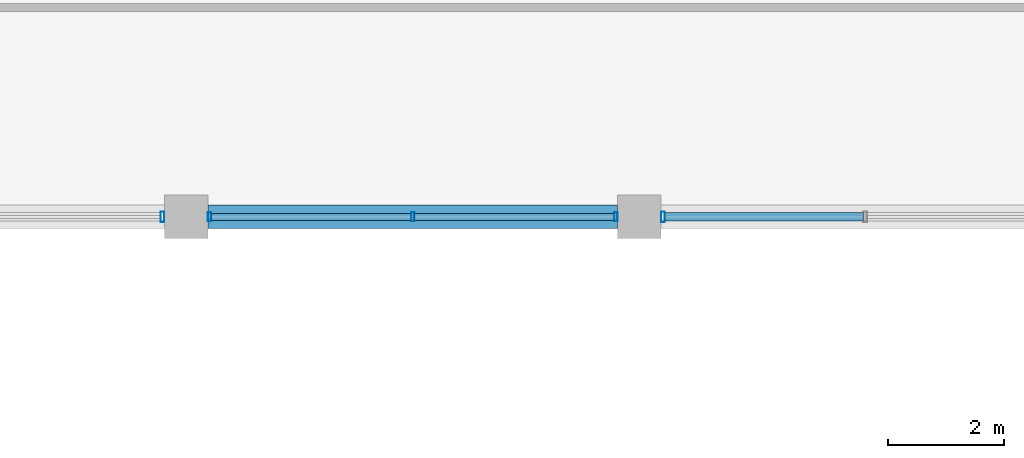
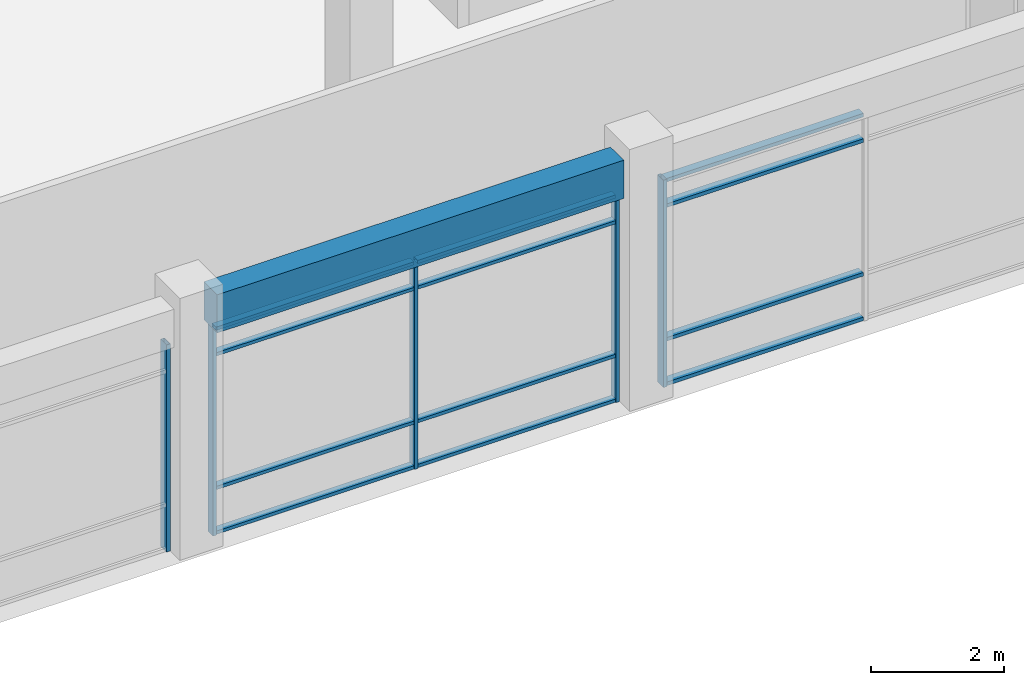
# One storey, part 22 of 62: 17 members, 1 beam, 3 elements without a shape of their own.
"""IFC4 building model written with IfcOpenShell, lengths in metres."""

from ifc_helpers import new_model, si_unit, direction, frame, origin, origin_2d, place, context, subcontext, project, spatial, rectangle, hollow_rectangle, extrude, material, material_profile, profile_set, type_object, element, aggregate, save


model = new_model("IFC4")

# Units and contexts
model_context = context("Model", 3, precision=1e-05, world=origin(), true_north=direction((0.0, 1.0)))
body_context = subcontext(model_context, "Body", "Model", "MODEL_VIEW")
ifc_project = project(units=[si_unit("LENGTHUNIT", "METRE"), si_unit("AREAUNIT", "SQUARE_METRE"), si_unit("VOLUMEUNIT", "CUBIC_METRE"), si_unit("PLANEANGLEUNIT", "RADIAN"), si_unit("MASSUNIT", "GRAM", prefix="KILO"), si_unit("THERMODYNAMICTEMPERATUREUNIT", "KELVIN"), si_unit("POWERUNIT", "WATT")], contexts=[model_context])

# Site, building, storey
site_placement = place(None, origin())
site = spatial("IfcSite", under=ifc_project, at=site_placement, CompositionType="ELEMENT")
building_placement = place(site_placement, origin())
building = spatial("IfcBuilding", under=site, at=building_placement, Name="Srebrne Nadtorze General Hospital", CompositionType="ELEMENT")
storey_placement = place(building_placement, frame((0.0, 0.0, 9.60009765625)))
storey = spatial("IfcBuildingStorey", under=building, at=storey_placement, Name="L02", CompositionType="ELEMENT", Elevation=9.60009765625)

# Curtain wall, members
ifc_material_1 = material(Name="Anodised Aluminium", Category="aluminium")
curtain_wall_type_1 = type_object("IfcCurtainWallType", Name="Unitised curtain wall 7050x3800", PredefinedType="NOTDEFINED", material=ifc_material_1)
curtain_wall_1_placement = place(storey_placement, origin())
curtain_wall_1 = element("IfcCurtainWall", 1, at=curtain_wall_1_placement, inside=storey, type_object=curtain_wall_type_1, Name="Curtain wall CW-080", PredefinedType="NOTDEFINED")
ifc_material_2 = material(Name="Anodised Aluminium", Category="aluminium")
ifc_material_profile_1 = material_profile(ifc_material_2, hollow_rectangle(XDim=0.06005859375, YDim=0.14990234375, WallThickness=0.00390625, at=origin_2d()), Name="AL-MUL-60x150")
ifc_profile_set_1 = profile_set([ifc_material_profile_1], Name="Anodised Aluminium")
member_type_1 = type_object("IfcMemberType", Name="Curtain mullion 60x150", PredefinedType="MULLION", material=ifc_profile_set_1)
member_1_placement = place(storey_placement, frame((86.205078125, 50.39990234375, 0.0), z_axis=(0.0, 0.0, 1.0), x_axis=(1.0, 0.0, 0.0)))
member_1 = element("IfcMember", 2, at=member_1_placement, type_object=member_type_1, Name="CW-080 mullion 1", PredefinedType="MULLION", context=body_context, shape_type="SweptSolid", body=[
    extrude(hollow_rectangle(XDim=0.06005859375, YDim=0.14990234375, WallThickness=0.00390625, at=origin_2d()), origin(), (0.0, 0.0, 1.0), 3.7998046875),
])
member_2_placement = place(storey_placement, frame((89.699951171875, 50.39990234375, 0.0), z_axis=(0.0, 0.0, 1.0), x_axis=(1.0, 0.0, 0.0)))
member_2 = element("IfcMember", 3, at=member_2_placement, type_object=member_type_1, Name="CW-080 mullion 2", PredefinedType="MULLION", context=body_context, shape_type="SweptSolid", body=[
    extrude(hollow_rectangle(XDim=0.06005859375, YDim=0.14990234375, WallThickness=0.00390625, at=origin_2d()), origin(), (0.0, 0.0, 1.0), 3.7998046875),
])
member_3_placement = place(storey_placement, frame((93.195068359375, 50.39990234375, 0.0), z_axis=(0.0, 0.0, 1.0), x_axis=(1.0, 0.0, 0.0)))
member_3 = element("IfcMember", 4, at=member_3_placement, type_object=member_type_1, Name="CW-080 mullion 3", PredefinedType="MULLION", context=body_context, shape_type="SweptSolid", body=[
    extrude(hollow_rectangle(XDim=0.06005859375, YDim=0.14990234375, WallThickness=0.00390625, at=origin_2d()), origin(), (0.0, 0.0, 1.0), 3.7998046875),
])

# Curtain wall, member
curtain_wall_2_placement = place(storey_placement, origin())
curtain_wall_2 = element("IfcCurtainWall", 5, at=curtain_wall_2_placement, inside=storey, type_object=curtain_wall_type_1, Name="Curtain wall CW-079", PredefinedType="NOTDEFINED")
ifc_material_3 = material(Name="Anodised Aluminium", Category="aluminium")
ifc_material_profile_2 = material_profile(ifc_material_3, hollow_rectangle(XDim=0.06494140625, YDim=0.179931640625, WallThickness=0.00390625, at=origin_2d()), Name="AL-MUL-65x180")
ifc_profile_set_2 = profile_set([ifc_material_profile_2], Name="Anodised Aluminium")
member_type_2 = type_object("IfcMemberType", Name="Curtain mullion 65x180", PredefinedType="MULLION", material=ifc_profile_set_2)
member_4_placement = place(storey_placement, frame((85.392578125, 50.39990234375, 0.0), z_axis=(0.0, 0.0, 1.0), x_axis=(1.0, 0.0, 0.0)))
member_4 = element("IfcMember", 6, at=member_4_placement, type_object=member_type_2, Name="CW-079 mullion 3", PredefinedType="MULLION", context=body_context, shape_type="SweptSolid", body=[
    extrude(hollow_rectangle(XDim=0.06494140625, YDim=0.179931640625, WallThickness=0.00390625, at=origin_2d()), origin(), (0.0, 0.0, 1.0), 3.7998046875),
])
aggregate(curtain_wall_2, [member_4])

ifc_material_4 = material(Name="Anodised Aluminium", Category="aluminium")
curtain_wall_type_2 = type_object("IfcCurtainWallType", Name="Unitised curtain wall 7025x3800", PredefinedType="NOTDEFINED", material=ifc_material_4)
curtain_wall_3_placement = place(storey_placement, origin())
curtain_wall_3 = element("IfcCurtainWall", 7, at=curtain_wall_3_placement, inside=storey, type_object=curtain_wall_type_2, Name="Curtain wall CW-081", PredefinedType="NOTDEFINED")
member_5_placement = place(storey_placement, frame((94.007568359375, 50.39990234375, 0.0), z_axis=(0.0, 0.0, 1.0), x_axis=(1.0, 0.0, 0.0)))
member_5 = element("IfcMember", 8, at=member_5_placement, type_object=member_type_2, Name="CW-081 mullion 1", PredefinedType="MULLION", context=body_context, shape_type="SweptSolid", body=[
    extrude(hollow_rectangle(XDim=0.06494140625, YDim=0.179931640625, WallThickness=0.00390625, at=origin_2d()), origin(), (0.0, 0.0, 1.0), 3.7998046875),
])

# Member
ifc_material_5 = material(Name="Anodised Aluminium", Category="aluminium")
ifc_material_profile_3 = material_profile(ifc_material_5, hollow_rectangle(XDim=0.06005859375, YDim=0.1201171875, WallThickness=0.00390625, at=origin_2d()), Name="AL-TRN-60x120")
ifc_profile_set_3 = profile_set([ifc_material_profile_3], Name="Anodised Aluminium")
member_type_3 = type_object("IfcMemberType", Name="Curtain transom 60x120", PredefinedType="USERDEFINED", material=ifc_profile_set_3)
member_6_placement = place(storey_placement, frame((86.235107421875, 50.39990234375, 0.02978515625), z_axis=(1.0, 0.0, 0.0), x_axis=(0.0, 0.0, 1.0)))
member_6 = element("IfcMember", 9, at=member_6_placement, type_object=member_type_3, Name="CW-080 transom 1.1", ObjectType="TRANSOM", PredefinedType="USERDEFINED", context=body_context, shape_type="SweptSolid", body=[
    extrude(hollow_rectangle(XDim=0.06005859375, YDim=0.1201171875, WallThickness=0.00390625, at=origin_2d()), origin(), (0.0, 0.0, 1.0), 3.434814453125),
])

member_7_placement = place(storey_placement, frame((86.235107421875, 50.39990234375, 0.849853515625), z_axis=(1.0, 0.0, 0.0), x_axis=(0.0, 0.0, 1.0)))
member_7 = element("IfcMember", 10, at=member_7_placement, type_object=member_type_3, Name="CW-080 transom 1.2", ObjectType="TRANSOM", PredefinedType="USERDEFINED", context=body_context, shape_type="SweptSolid", body=[
    extrude(hollow_rectangle(XDim=0.06005859375, YDim=0.1201171875, WallThickness=0.00390625, at=origin_2d()), origin(), (0.0, 0.0, 1.0), 3.434814453125),
])

member_8_placement = place(storey_placement, frame((86.235107421875, 50.39990234375, 3.2998046875), z_axis=(1.0, 0.0, 0.0), x_axis=(0.0, 0.0, 1.0)))
member_8 = element("IfcMember", 11, at=member_8_placement, type_object=member_type_3, Name="CW-080 transom 1.3", ObjectType="TRANSOM", PredefinedType="USERDEFINED", context=body_context, shape_type="SweptSolid", body=[
    extrude(hollow_rectangle(XDim=0.06005859375, YDim=0.1201171875, WallThickness=0.00390625, at=origin_2d()), origin(), (0.0, 0.0, 1.0), 3.434814453125),
])

member_9_placement = place(storey_placement, frame((86.235107421875, 50.39990234375, 3.77001953125), z_axis=(1.0, 0.0, 0.0), x_axis=(0.0, 0.0, 1.0)))
member_9 = element("IfcMember", 12, at=member_9_placement, type_object=member_type_3, Name="CW-080 transom 1.4", ObjectType="TRANSOM", PredefinedType="USERDEFINED", context=body_context, shape_type="SweptSolid", body=[
    extrude(hollow_rectangle(XDim=0.06005859375, YDim=0.1201171875, WallThickness=0.00390625, at=origin_2d()), origin(), (0.0, 0.0, 1.0), 3.434814453125),
])

member_10_placement = place(storey_placement, frame((89.72998046875, 50.39990234375, 0.02978515625), z_axis=(1.0, 0.0, 0.0), x_axis=(0.0, 0.0, 1.0)))
member_10 = element("IfcMember", 13, at=member_10_placement, type_object=member_type_3, Name="CW-080 transom 2.1", ObjectType="TRANSOM", PredefinedType="USERDEFINED", context=body_context, shape_type="SweptSolid", body=[
    extrude(hollow_rectangle(XDim=0.06005859375, YDim=0.1201171875, WallThickness=0.00390625, at=origin_2d()), origin(), (0.0, 0.0, 1.0), 3.43505859375),
])

member_11_placement = place(storey_placement, frame((89.72998046875, 50.39990234375, 0.849853515625), z_axis=(1.0, 0.0, 0.0), x_axis=(0.0, 0.0, 1.0)))
member_11 = element("IfcMember", 14, at=member_11_placement, type_object=member_type_3, Name="CW-080 transom 2.2", ObjectType="TRANSOM", PredefinedType="USERDEFINED", context=body_context, shape_type="SweptSolid", body=[
    extrude(hollow_rectangle(XDim=0.06005859375, YDim=0.1201171875, WallThickness=0.00390625, at=origin_2d()), origin(), (0.0, 0.0, 1.0), 3.43505859375),
])

member_12_placement = place(storey_placement, frame((89.72998046875, 50.39990234375, 3.2998046875), z_axis=(1.0, 0.0, 0.0), x_axis=(0.0, 0.0, 1.0)))
member_12 = element("IfcMember", 15, at=member_12_placement, type_object=member_type_3, Name="CW-080 transom 2.3", ObjectType="TRANSOM", PredefinedType="USERDEFINED", context=body_context, shape_type="SweptSolid", body=[
    extrude(hollow_rectangle(XDim=0.06005859375, YDim=0.1201171875, WallThickness=0.00390625, at=origin_2d()), origin(), (0.0, 0.0, 1.0), 3.43505859375),
])

member_13_placement = place(storey_placement, frame((89.72998046875, 50.39990234375, 3.77001953125), z_axis=(1.0, 0.0, 0.0), x_axis=(0.0, 0.0, 1.0)))
member_13 = element("IfcMember", 16, at=member_13_placement, type_object=member_type_3, Name="CW-080 transom 2.4", ObjectType="TRANSOM", PredefinedType="USERDEFINED", context=body_context, shape_type="SweptSolid", body=[
    extrude(hollow_rectangle(XDim=0.06005859375, YDim=0.1201171875, WallThickness=0.00390625, at=origin_2d()), origin(), (0.0, 0.0, 1.0), 3.43505859375),
])

aggregate(curtain_wall_1, [member_1, member_2, member_3, member_6, member_7, member_8, member_9, member_10, member_11, member_12, member_13])

ifc_material_6 = material(Name="Anodised Aluminium", Category="aluminium")
ifc_material_profile_4 = material_profile(ifc_material_6, hollow_rectangle(XDim=0.06494140625, YDim=0.139892578125, WallThickness=0.00390625, at=origin_2d()), Name="AL-TRN-65x140")
ifc_profile_set_4 = profile_set([ifc_material_profile_4], Name="Anodised Aluminium")
member_type_4 = type_object("IfcMemberType", Name="Curtain transom 65x140", PredefinedType="USERDEFINED", material=ifc_profile_set_4)
member_14_placement = place(storey_placement, frame((94.0400390625, 50.39990234375, 0.032470703125), z_axis=(1.0, 0.0, 0.0), x_axis=(0.0, 0.0, 1.0)))
member_14 = element("IfcMember", 17, at=member_14_placement, type_object=member_type_4, Name="CW-081 transom 1.1", ObjectType="TRANSOM", PredefinedType="USERDEFINED", context=body_context, shape_type="SweptSolid", body=[
    extrude(hollow_rectangle(XDim=0.06494140625, YDim=0.139892578125, WallThickness=0.00390625, at=origin_2d()), origin(), (0.0, 0.0, 1.0), 3.4150390625),
])

member_15_placement = place(storey_placement, frame((94.0400390625, 50.39990234375, 0.849853515625), z_axis=(1.0, 0.0, 0.0), x_axis=(0.0, 0.0, 1.0)))
member_15 = element("IfcMember", 18, at=member_15_placement, type_object=member_type_4, Name="CW-081 transom 1.2", ObjectType="TRANSOM", PredefinedType="USERDEFINED", context=body_context, shape_type="SweptSolid", body=[
    extrude(hollow_rectangle(XDim=0.06494140625, YDim=0.139892578125, WallThickness=0.00390625, at=origin_2d()), origin(), (0.0, 0.0, 1.0), 3.4150390625),
])

member_16_placement = place(storey_placement, frame((94.0400390625, 50.39990234375, 3.2998046875), z_axis=(1.0, 0.0, 0.0), x_axis=(0.0, 0.0, 1.0)))
member_16 = element("IfcMember", 19, at=member_16_placement, type_object=member_type_4, Name="CW-081 transom 1.3", ObjectType="TRANSOM", PredefinedType="USERDEFINED", context=body_context, shape_type="SweptSolid", body=[
    extrude(hollow_rectangle(XDim=0.06494140625, YDim=0.139892578125, WallThickness=0.00390625, at=origin_2d()), origin(), (0.0, 0.0, 1.0), 3.4150390625),
])

member_17_placement = place(storey_placement, frame((94.0400390625, 50.39990234375, 3.767333984375), z_axis=(1.0, 0.0, 0.0), x_axis=(0.0, 0.0, 1.0)))
member_17 = element("IfcMember", 20, at=member_17_placement, type_object=member_type_4, Name="CW-081 transom 1.4", ObjectType="TRANSOM", PredefinedType="USERDEFINED", context=body_context, shape_type="SweptSolid", body=[
    extrude(hollow_rectangle(XDim=0.06494140625, YDim=0.139892578125, WallThickness=0.00390625, at=origin_2d()), origin(), (0.0, 0.0, 1.0), 3.4150390625),
])

aggregate(curtain_wall_3, [member_5, member_14, member_15, member_16, member_17])

# Beam
ifc_material_7 = material(Name="Concrete C40/50", Category="concrete")
ifc_material_profile_5 = material_profile(ifc_material_7, rectangle(XDim=0.39990234375, YDim=0.699951171875, at=origin_2d()), Name="RC-BM-400x700")
ifc_profile_set_5 = profile_set([ifc_material_profile_5], Name="Concrete C40/50")
beam_type = type_object("IfcBeamType", Name="Edge beam RC 400x700", PredefinedType="BEAM", material=ifc_profile_set_5)
beam_placement = place(storey_placement, frame((86.175048828125, 50.39990234375, 4.14990234375), z_axis=(1.0, 0.0, 0.0), x_axis=(0.0, 1.0, 0.0)))
element("IfcBeam", 21, at=beam_placement, inside=storey, type_object=beam_type, Name="Beam BM-L02-X-0586", PredefinedType="BEAM", context=body_context, shape_type="SweptSolid", body=[
    extrude(rectangle(XDim=0.39990234375, YDim=0.699951171875, at=origin_2d()), origin(), (0.0, 0.0, 1.0), 7.050048828125),
])

save(model, "model.ifc")
